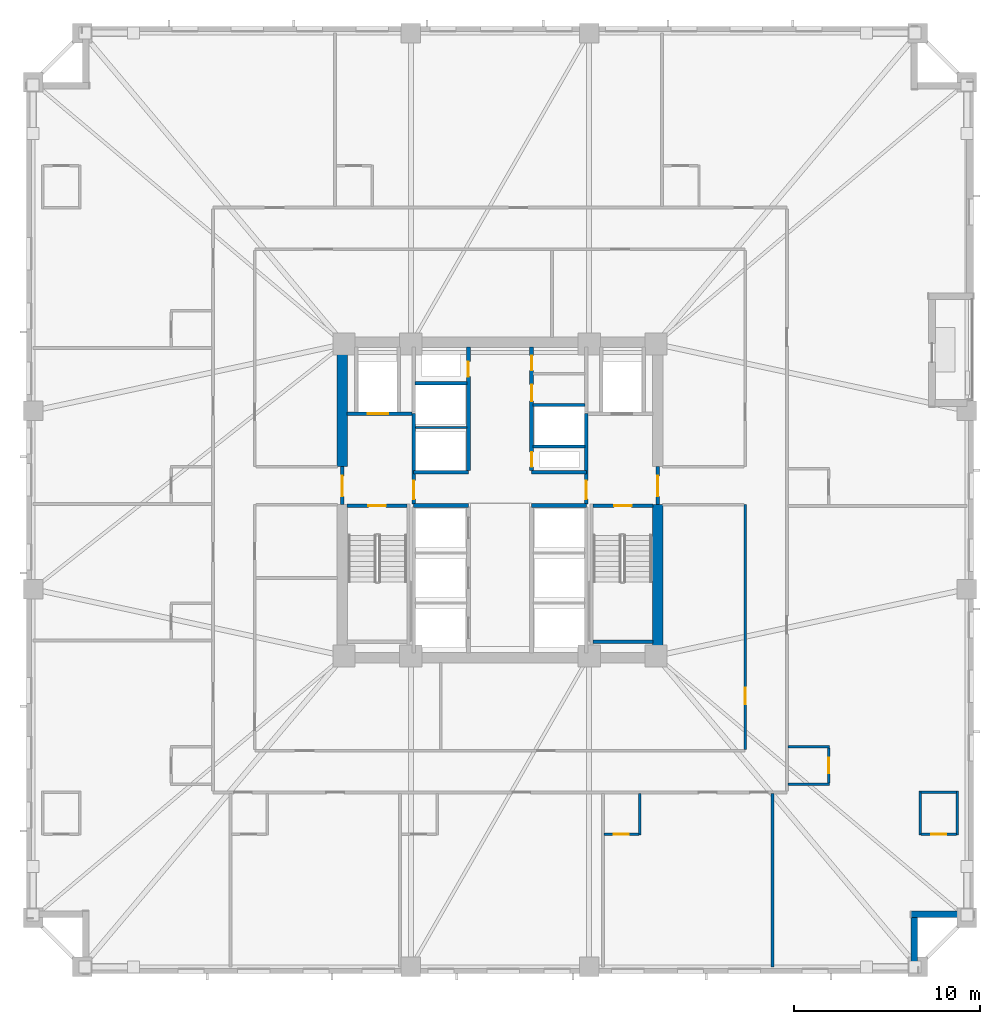
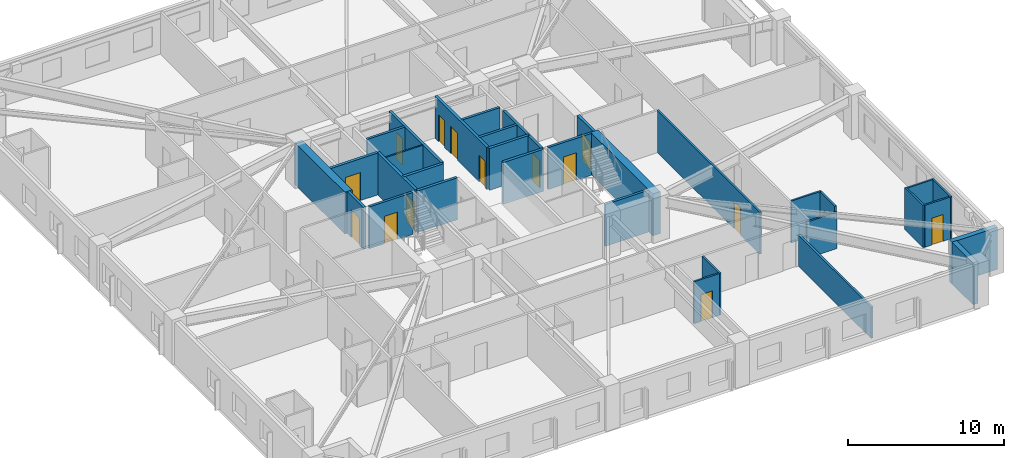
# One storey, part 4 of 11: 33 walls, 15 doors, 15 openings.
"""IFC4 building model written with IfcOpenShell, lengths in metres."""

from ifc_helpers import new_model, si_unit, direction, frame, frame_2d, origin, place, context, subcontext, project, spatial, rectangle, extrude, material, layer, layer_set, type_object, element, fill, save


model = new_model("IFC4")

# Units and contexts
model_context = context("Model", 3, precision=1e-05, world=origin(), true_north=direction((0.0, 1.0)))
body_context = subcontext(model_context, "Body", "Model", "MODEL_VIEW")
ifc_project = project(units=[si_unit("LENGTHUNIT", "METRE"), si_unit("AREAUNIT", "SQUARE_METRE"), si_unit("VOLUMEUNIT", "CUBIC_METRE"), si_unit("PLANEANGLEUNIT", "RADIAN"), si_unit("MASSUNIT", "GRAM", prefix="KILO")], contexts=[model_context])

# Site, building, storey
site_placement = place(None, origin())
site = spatial("IfcSite", under=ifc_project, at=site_placement, CompositionType="ELEMENT")
building_placement = place(site_placement, origin())
building = spatial("IfcBuilding", under=site, at=building_placement, Name="Cairnveth Concourse Tower", CompositionType="ELEMENT")
storey_placement = place(building_placement, frame((0.0, 0.0, 76.0)))
storey = spatial("IfcBuildingStorey", under=building, at=storey_placement, Name="L20", CompositionType="ELEMENT", Elevation=76.0)

# Walls
ifc_material_1 = material(Name="Gypsum Plasterboard Partition", Category="gypsum")
ifc_layer_1 = layer(ifc_material_1, 0.159912109375)
ifc_layer_set_1 = layer_set([ifc_layer_1], Name="Gypsum Plasterboard Partition")
wall_type_1 = type_object("IfcWallType", Name="ACOUSTIC PARTY WALL 180", PredefinedType="PARTITIONING", material=ifc_layer_set_1)
wall_1_placement = place(storey_placement, frame((66.68798828125, 13.844970703125, 0.0), z_axis=(0.0, 0.0, 1.0), x_axis=(0.0, 1.0, 0.0)))
element("IfcWall", 1, at=wall_1_placement, inside=storey, type_object=wall_type_1, Name="Interior Wall IW-L20-068", PredefinedType="PARTITIONING", context=body_context, shape_type="SweptSolid", body=[
    extrude(rectangle(XDim=9.340087890625, YDim=0.159912109375, at=frame_2d((4.669921875, 0.0))), origin(), (0.0, 0.0, 1.0), 2.43896484375),
])
ifc_material_2 = material(Name="Concrete N80 (80 MPa)", Category="concrete")
ifc_layer_2 = layer(ifc_material_2, 0.550048828125)
ifc_layer_set_2 = layer_set([ifc_layer_2], Name="Concrete N80 (80 MPa)")
wall_type_2 = type_object("IfcWallType", Name="CORE SHEAR WALL 550", PredefinedType="SHEAR", material=ifc_layer_set_2)
wall_2_placement = place(storey_placement, frame((43.5, 40.800048828125, 0.0), z_axis=(0.0, 0.0, 1.0), x_axis=(0.0, 1.0, 0.0)))
element("IfcWall", 2, at=wall_2_placement, inside=storey, type_object=wall_type_2, Name="Core West Shear Wall N L20", PredefinedType="SHEAR", context=body_context, shape_type="SweptSolid", body=[
    extrude(rectangle(XDim=6.43505859375, YDim=0.550048828125, at=frame_2d((3.217529296875, 0.0))), origin(), (0.0, 0.0, 1.0), 3.280029296875),
])
wall_3_placement = place(storey_placement, frame((60.5, 30.764892578125, 0.0), z_axis=(0.0, 0.0, 1.0), x_axis=(0.0, 1.0, 0.0)))
element("IfcWall", 3, at=wall_3_placement, inside=storey, type_object=wall_type_2, Name="Core East Shear Wall S L20", PredefinedType="SHEAR", context=body_context, shape_type="SweptSolid", body=[
    extrude(rectangle(XDim=7.985107421875, YDim=0.550048828125, at=frame_2d((3.99267578125, 0.0))), origin(), (0.0, 0.0, 1.0), 3.280029296875),
])
ifc_material_3 = material(Name="Concrete N50 (50 MPa)", Category="concrete")
ifc_layer_3 = layer(ifc_material_3, 0.179931640625)
ifc_layer_set_3 = layer_set([ifc_layer_3], Name="Concrete N50 (50 MPa)")
wall_type_3 = type_object("IfcWallType", Name="FIRE SHAFT WALL 180", PredefinedType="SOLIDWALL", material=ifc_layer_set_3)
wall_4_placement = place(storey_placement, frame((47.425048828125, 45.280029296875, 0.0), z_axis=(0.0, 0.0, 1.0), x_axis=(1.0, 0.0, 0.0)))
element("IfcWall", 4, at=wall_4_placement, inside=storey, type_object=wall_type_3, Name="Interior Wall IW-L20-033", PredefinedType="SOLIDWALL", context=body_context, shape_type="SweptSolid", body=[
    extrude(rectangle(XDim=2.7900390625, YDim=0.179931640625, at=frame_2d((1.39501953125, 0.0))), origin(), (0.0, 0.0, 1.0), 3.280029296875),
])
wall_5_placement = place(storey_placement, frame((53.784912109375, 41.8798828125, 0.0), z_axis=(0.0, 0.0, 1.0), x_axis=(1.0, 0.0, 0.0)))
element("IfcWall", 5, at=wall_5_placement, inside=storey, type_object=wall_type_3, Name="Interior Wall IW-L20-035", PredefinedType="SOLIDWALL", context=body_context, shape_type="SweptSolid", body=[
    extrude(rectangle(XDim=2.780029296875, YDim=0.179931640625, at=frame_2d((1.39013671875, 0.0))), origin(), (0.0, 0.0, 1.0), 3.280029296875),
])
wall_6_placement = place(storey_placement, frame((53.784912109375, 44.1201171875, 0.0), z_axis=(0.0, 0.0, 1.0), x_axis=(1.0, 0.0, 0.0)))
element("IfcWall", 6, at=wall_6_placement, inside=storey, type_object=wall_type_3, Name="Interior Wall IW-L20-036", PredefinedType="SOLIDWALL", context=body_context, shape_type="SweptSolid", body=[
    extrude(rectangle(XDim=2.7900390625, YDim=0.179931640625, at=frame_2d((1.39501953125, 0.0))), origin(), (0.0, 0.0, 1.0), 3.280029296875),
])

# Wall, opening, door
wall_7_placement = place(storey_placement, frame((43.764892578125, 38.68994140625, 0.0), z_axis=(0.0, 0.0, 1.0), x_axis=(1.0, 0.0, 0.0)))
wall_7 = element("IfcWall", 7, at=wall_7_placement, inside=storey, type_object=wall_type_3, Name="Stair ST-1 Shaft Wall NEAR L20", PredefinedType="SOLIDWALL", context=body_context, shape_type="SweptSolid", body=[
    extrude(rectangle(XDim=3.230224609375, YDim=0.179931640625, at=frame_2d((1.615234375, 0.0))), origin(), (0.0, 0.0, 1.0), 3.280029296875),
])
opening_1_placement = place(wall_7_placement, frame((1.139892578125, 0.0, 0.0)))
opening_1 = element("IfcOpeningElement", 8, at=opening_1_placement, cuts=wall_7, Name="Opening ID12", PredefinedType="OPENING", context=body_context, shape_type="SweptSolid", body=[
    extrude(rectangle(XDim=0.949951171875, YDim=2.14990234375, at=frame_2d((0.47509765625, 1.074951171875))), frame((0.0, 0.099853515625, 0.0), z_axis=(0.0, -1.0, 0.0), x_axis=(1.0, 0.0, 0.0)), (0.0, 0.0, 1.0), 0.199951171875),
])
ifc_material_4 = material(Name="Steel Grade 350", Category="steel")
door_type_1 = type_object("IfcDoorType", Name="FIRE STAIR DOOR 950X2150", OperationType="NOTDEFINED", PredefinedType="DOOR", material=ifc_material_4)
door_1_placement = place(opening_1_placement, origin())
door_1 = element("IfcDoor", 9, at=door_1_placement, inside=storey, type_object=door_type_1, Name="Stair ST-1 Fire Door L20", OperationType="SINGLE_SWING_LEFT", OverallHeight=2.14990234375, OverallWidth=0.949951171875, PredefinedType="DOOR", context=body_context, shape_type="SweptSolid", body=[
    extrude(rectangle(XDim=0.949951171875, YDim=2.14990234375, at=frame_2d((0.47509765625, 1.074951171875))), frame((0.0, 0.02490234375, 0.0), z_axis=(0.0, -1.0, 0.0), x_axis=(1.0, 0.0, 0.0)), (0.0, 0.0, 1.0), 0.050048828125),
])
fill(opening_1, door_1)

wall_8_placement = place(storey_placement, frame((57.0048828125, 38.68994140625, 0.0), z_axis=(0.0, 0.0, 1.0), x_axis=(1.0, 0.0, 0.0)))
wall_8 = element("IfcWall", 10, at=wall_8_placement, inside=storey, type_object=wall_type_3, Name="Stair ST-2 Shaft Wall NEAR L20", PredefinedType="SOLIDWALL", context=body_context, shape_type="SweptSolid", body=[
    extrude(rectangle(XDim=3.230224609375, YDim=0.179931640625, at=frame_2d((1.615234375, 0.0))), origin(), (0.0, 0.0, 1.0), 3.280029296875),
])
opening_2_placement = place(wall_8_placement, frame((1.139892578125, 0.0, 0.0)))
opening_2 = element("IfcOpeningElement", 11, at=opening_2_placement, cuts=wall_8, Name="Opening ID12", PredefinedType="OPENING", context=body_context, shape_type="SweptSolid", body=[
    extrude(rectangle(XDim=0.949951171875, YDim=2.14990234375, at=frame_2d((0.47509765625, 1.074951171875))), frame((0.0, 0.099853515625, 0.0), z_axis=(0.0, -1.0, 0.0), x_axis=(1.0, 0.0, 0.0)), (0.0, 0.0, 1.0), 0.199951171875),
])
door_2_placement = place(opening_2_placement, origin())
door_2 = element("IfcDoor", 12, at=door_2_placement, inside=storey, type_object=door_type_1, Name="Stair ST-2 Fire Door L20", OperationType="SINGLE_SWING_RIGHT", OverallHeight=2.14990234375, OverallWidth=0.949951171875, PredefinedType="DOOR", context=body_context, shape_type="SweptSolid", body=[
    extrude(rectangle(XDim=0.949951171875, YDim=2.14990234375, at=frame_2d((0.47509765625, 1.074951171875))), frame((0.0, 0.02490234375, 0.0), z_axis=(0.0, -1.0, 0.0), x_axis=(1.0, 0.0, 0.0)), (0.0, 0.0, 1.0), 0.050048828125),
])
fill(opening_2, door_2)

# Walls
wall_9_placement = place(storey_placement, frame((57.0048828125, 31.360107421875, 0.0), z_axis=(0.0, 0.0, 1.0), x_axis=(1.0, 0.0, 0.0)))
element("IfcWall", 13, at=wall_9_placement, inside=storey, type_object=wall_type_3, Name="Stair ST-2 Shaft Wall FAR L20", PredefinedType="SOLIDWALL", context=body_context, shape_type="SweptSolid", body=[
    extrude(rectangle(XDim=3.230224609375, YDim=0.179931640625, at=frame_2d((1.615234375, 0.0))), origin(), (0.0, 0.0, 1.0), 3.280029296875),
])
ifc_layer_4 = layer(ifc_material_3, 0.199951171875)
ifc_layer_set_4 = layer_set([ifc_layer_4], Name="Concrete N50 (50 MPa)")
wall_type_4 = type_object("IfcWallType", Name="FIRE SHAFT WALL 200", PredefinedType="SOLIDWALL", material=ifc_layer_set_4)
for number, where, z_axis, x_axis, name in (
    (14, (47.35009765625, 38.699951171875, 0.0), (0.0, 0.0, 1.0), (1.0, 0.0, 0.0), "Interior Wall IW-L20-007"),
    (15, (47.35009765625, 40.5, 0.0), (0.0, 0.0, 1.0), (1.0, 0.0, 0.0), "Interior Wall IW-L20-008"),
    (16, (53.699951171875, 38.699951171875, 0.0), (0.0, 0.0, 1.0), (1.0, 0.0, 0.0), "Interior Wall IW-L20-009"),
    (17, (53.699951171875, 40.5, 0.0), (0.0, 0.0, 1.0), (1.0, 0.0, 0.0), "Interior Wall IW-L20-010"),
):
    element("IfcWall", number, at=place(storey_placement, frame(where, z_axis=z_axis, x_axis=x_axis)), inside=storey, type_object=wall_type_4, Name=name, PredefinedType="SOLIDWALL", context=body_context, shape_type="SweptSolid", body=[
        extrude(rectangle(XDim=2.949951171875, YDim=0.199951171875, at=frame_2d((1.47509765625, 0.0))), origin(), (0.0, 0.0, 1.0), 3.280029296875),
    ])

# Wall, opening, door
wall_10_placement = place(storey_placement, frame((50.300048828125, 40.5849609375, 0.0), z_axis=(0.0, 0.0, 1.0), x_axis=(0.0, 1.0, 0.0)))
wall_10 = element("IfcWall", 18, at=wall_10_placement, inside=storey, type_object=wall_type_4, Name="Interior Wall IW-L20-013", PredefinedType="SOLIDWALL", context=body_context, shape_type="SweptSolid", body=[
    extrude(rectangle(XDim=6.655029296875, YDim=0.199951171875, at=frame_2d((3.32763671875, 0.0))), origin(), (0.0, 0.0, 1.0), 3.280029296875),
])
opening_3_placement = place(wall_10_placement, frame((5.06494140625, 0.0, 0.0)))
opening_3 = element("IfcOpeningElement", 19, at=opening_3_placement, cuts=wall_10, Name="Opening ID24", PredefinedType="OPENING", context=body_context, shape_type="SweptSolid", body=[
    extrude(rectangle(XDim=0.800048828125, YDim=2.080078125, at=frame_2d((0.39990234375, 1.0400390625))), frame((0.0, 0.10986328125, 0.0), z_axis=(0.0, -1.0, 0.0), x_axis=(1.0, 0.0, 0.0)), (0.0, 0.0, 1.0), 0.219970703125),
])
door_type_2 = type_object("IfcDoorType", Name="RISER ACCESS DOOR 800X2100", OperationType="NOTDEFINED", PredefinedType="DOOR", material=ifc_material_4)
door_3_placement = place(opening_3_placement, origin())
door_3 = element("IfcDoor", 20, at=door_3_placement, inside=storey, type_object=door_type_2, Name="NW Electrical Riser Access Door L20", OperationType="SINGLE_SWING_RIGHT", OverallHeight=2.080078125, OverallWidth=0.800048828125, PredefinedType="DOOR", context=body_context, shape_type="SweptSolid", body=[
    extrude(rectangle(XDim=0.800048828125, YDim=2.080078125, at=frame_2d((0.39990234375, 1.0400390625))), frame((0.0, 0.02490234375, 0.0), z_axis=(0.0, -1.0, 0.0), x_axis=(1.0, 0.0, 0.0)), (0.0, 0.0, 1.0), 0.050048828125),
])
fill(opening_3, door_3)

# Wall, openings, doors
wall_11_placement = place(storey_placement, frame((53.699951171875, 40.5849609375, 0.0), z_axis=(0.0, 0.0, 1.0), x_axis=(0.0, 1.0, 0.0)))
wall_11 = element("IfcWall", 21, at=wall_11_placement, inside=storey, type_object=wall_type_4, Name="Interior Wall IW-L20-014", PredefinedType="SOLIDWALL", context=body_context, shape_type="SweptSolid", body=[
    extrude(rectangle(XDim=6.655029296875, YDim=0.199951171875, at=frame_2d((3.32763671875, 0.0))), origin(), (0.0, 0.0, 1.0), 3.280029296875),
])
opening_4_placement = place(wall_11_placement, frame((0.195068359375, 0.0, 0.0)))
opening_4 = element("IfcOpeningElement", 22, at=opening_4_placement, cuts=wall_11, Name="Opening ID24", PredefinedType="OPENING", context=body_context, shape_type="SweptSolid", body=[
    extrude(rectangle(XDim=0.800048828125, YDim=2.080078125, at=frame_2d((0.39990234375, 1.0400390625))), frame((0.0, 0.10986328125, 0.0), z_axis=(0.0, -1.0, 0.0), x_axis=(1.0, 0.0, 0.0)), (0.0, 0.0, 1.0), 0.219970703125),
])
opening_5_placement = place(wall_11_placement, frame((3.735107421875, 0.0, 0.0)))
opening_5 = element("IfcOpeningElement", 23, at=opening_5_placement, cuts=wall_11, Name="Opening ID26", PredefinedType="OPENING", context=body_context, shape_type="SweptSolid", body=[
    extrude(rectangle(XDim=0.89990234375, YDim=2.1201171875, at=frame_2d((0.449951171875, 1.06005859375))), frame((0.0, 0.10986328125, 0.0), z_axis=(0.0, -1.0, 0.0), x_axis=(1.0, 0.0, 0.0)), (0.0, 0.0, 1.0), 0.219970703125),
])
opening_6_placement = place(wall_11_placement, frame((5.39501953125, 0.0, 0.0)))
opening_6 = element("IfcOpeningElement", 24, at=opening_6_placement, cuts=wall_11, Name="Opening ID23", PredefinedType="OPENING", context=body_context, shape_type="SweptSolid", body=[
    extrude(rectangle(XDim=0.800048828125, YDim=2.10009765625, at=frame_2d((0.39990234375, 1.050048828125))), frame((0.0, 0.10986328125, 0.0), z_axis=(0.0, -1.0, 0.0), x_axis=(1.0, 0.0, 0.0)), (0.0, 0.0, 1.0), 0.219970703125),
])
door_type_3 = type_object("IfcDoorType", Name="CORE SERVICE DOOR 800X2100", OperationType="NOTDEFINED", PredefinedType="DOOR", material=ifc_material_4)
door_4_placement = place(opening_6_placement, origin())
door_4 = element("IfcDoor", 25, at=door_4_placement, inside=storey, type_object=door_type_3, Name="Core NE Cleaners Door L20", OperationType="SINGLE_SWING_LEFT", OverallHeight=2.10009765625, OverallWidth=0.800048828125, PredefinedType="DOOR", context=body_context, shape_type="SweptSolid", body=[
    extrude(rectangle(XDim=0.800048828125, YDim=2.10009765625, at=frame_2d((0.39990234375, 1.050048828125))), frame((0.0, 0.02490234375, 0.0), z_axis=(0.0, -1.0, 0.0), x_axis=(1.0, 0.0, 0.0)), (0.0, 0.0, 1.0), 0.050048828125),
])
fill(opening_6, door_4)
door_type_4 = type_object("IfcDoorType", Name="CORE TOILET FIRE DOOR 900X2120", OperationType="NOTDEFINED", PredefinedType="DOOR", material=ifc_material_4)
door_5_placement = place(opening_5_placement, origin())
door_5 = element("IfcDoor", 26, at=door_5_placement, inside=storey, type_object=door_type_4, Name="Core NE Unisex WC Door L20", OperationType="SINGLE_SWING_RIGHT", OverallHeight=2.1201171875, OverallWidth=0.89990234375, PredefinedType="DOOR", context=body_context, shape_type="SweptSolid", body=[
    extrude(rectangle(XDim=0.89990234375, YDim=2.1201171875, at=frame_2d((0.449951171875, 1.06005859375))), frame((0.0, 0.02490234375, 0.0), z_axis=(0.0, -1.0, 0.0), x_axis=(1.0, 0.0, 0.0)), (0.0, 0.0, 1.0), 0.050048828125),
])
fill(opening_5, door_5)
door_6_placement = place(opening_4_placement, origin())
door_6 = element("IfcDoor", 27, at=door_6_placement, inside=storey, type_object=door_type_2, Name="Hydraulic Riser Door L20", OperationType="SINGLE_SWING_LEFT", OverallHeight=2.080078125, OverallWidth=0.800048828125, PredefinedType="DOOR", context=body_context, shape_type="SweptSolid", body=[
    extrude(rectangle(XDim=0.800048828125, YDim=2.080078125, at=frame_2d((0.39990234375, 1.0400390625))), frame((0.0, 0.02490234375, 0.0), z_axis=(0.0, -1.0, 0.0), x_axis=(1.0, 0.0, 0.0)), (0.0, 0.0, 1.0), 0.050048828125),
])
fill(opening_4, door_6)

# Wall, opening, door
wall_12_placement = place(storey_placement, frame((43.5, 38.75, 0.0), z_axis=(0.0, 0.0, 1.0), x_axis=(0.0, 1.0, 0.0)))
wall_12 = element("IfcWall", 28, at=wall_12_placement, inside=storey, type_object=wall_type_4, Name="Interior Wall IW-L20-015", PredefinedType="SOLIDWALL", context=body_context, shape_type="SweptSolid", body=[
    extrude(rectangle(XDim=2.050048828125, YDim=0.199951171875, at=frame_2d((1.02490234375, 0.0))), origin(), (0.0, 0.0, 1.0), 3.280029296875),
])
opening_7_placement = place(wall_12_placement, frame((0.449951171875, 0.0, 0.0)))
opening_7 = element("IfcOpeningElement", 29, at=opening_7_placement, cuts=wall_12, Name="Opening ID06", PredefinedType="OPENING", context=body_context, shape_type="SweptSolid", body=[
    extrude(rectangle(XDim=1.10009765625, YDim=2.14990234375, at=frame_2d((0.550048828125, 1.074951171875))), frame((0.0, 0.10986328125, 0.0), z_axis=(0.0, -1.0, 0.0), x_axis=(1.0, 0.0, 0.0)), (0.0, 0.0, 1.0), 0.219970703125),
])
door_type_5 = type_object("IfcDoorType", Name="FIRE CORRIDOR DOOR 1100X2150", OperationType="NOTDEFINED", PredefinedType="DOOR", material=ifc_material_4)
door_7_placement = place(opening_7_placement, origin())
door_7 = element("IfcDoor", 30, at=door_7_placement, inside=storey, type_object=door_type_5, Name="West Wing to FF Lobby Door L20", OperationType="SINGLE_SWING_LEFT", OverallHeight=2.14990234375, OverallWidth=1.10009765625, PredefinedType="DOOR", context=body_context, shape_type="SweptSolid", body=[
    extrude(rectangle(XDim=1.10009765625, YDim=2.14990234375, at=frame_2d((0.550048828125, 1.074951171875))), frame((0.0, 0.02490234375, 0.0), z_axis=(0.0, -1.0, 0.0), x_axis=(1.0, 0.0, 0.0)), (0.0, 0.0, 1.0), 0.050048828125),
])
fill(opening_7, door_7)

wall_13_placement = place(storey_placement, frame((47.35009765625, 38.784912109375, 0.0), z_axis=(0.0, 0.0, 1.0), x_axis=(0.0, 1.0, 0.0)))
wall_13 = element("IfcWall", 31, at=wall_13_placement, inside=storey, type_object=wall_type_4, Name="Interior Wall IW-L20-016", PredefinedType="SOLIDWALL", context=body_context, shape_type="SweptSolid", body=[
    extrude(rectangle(XDim=4.864990234375, YDim=0.199951171875, at=frame_2d((2.4326171875, 0.0))), origin(), (0.0, 0.0, 1.0), 3.280029296875),
])
opening_8_placement = place(wall_13_placement, frame((0.264892578125, 0.0, 0.0)))
opening_8 = element("IfcOpeningElement", 32, at=opening_8_placement, cuts=wall_13, Name="Opening ID07", PredefinedType="OPENING", context=body_context, shape_type="SweptSolid", body=[
    extrude(rectangle(XDim=1.0, YDim=2.14990234375, at=frame_2d((0.5, 1.074951171875))), frame((0.0, 0.10986328125, 0.0), z_axis=(0.0, -1.0, 0.0), x_axis=(1.0, 0.0, 0.0)), (0.0, 0.0, 1.0), 0.219970703125),
])
door_type_6 = type_object("IfcDoorType", Name="FIRE CORRIDOR DOOR 1000X2150", OperationType="NOTDEFINED", PredefinedType="DOOR", material=ifc_material_4)
door_8_placement = place(opening_8_placement, origin())
door_8 = element("IfcDoor", 33, at=door_8_placement, inside=storey, type_object=door_type_6, Name="FF Lobby West to Lift Lobby Door L20", OperationType="SINGLE_SWING_RIGHT", OverallHeight=2.14990234375, OverallWidth=1.0, PredefinedType="DOOR", context=body_context, shape_type="SweptSolid", body=[
    extrude(rectangle(XDim=1.0, YDim=2.14990234375, at=frame_2d((0.5, 1.074951171875))), frame((0.0, 0.02490234375, 0.0), z_axis=(0.0, -1.0, 0.0), x_axis=(1.0, 0.0, 0.0)), (0.0, 0.0, 1.0), 0.050048828125),
])
fill(opening_8, door_8)

wall_14_placement = place(storey_placement, frame((43.760009765625, 43.64990234375, 0.0), z_axis=(0.0, 0.0, 1.0), x_axis=(1.0, 0.0, 0.0)))
wall_14 = element("IfcWall", 34, at=wall_14_placement, inside=storey, type_object=wall_type_4, Name="Interior Wall IW-L20-017", PredefinedType="SOLIDWALL", context=body_context, shape_type="SweptSolid", body=[
    extrude(rectangle(XDim=3.5048828125, YDim=0.199951171875, at=frame_2d((1.75244140625, 0.0))), origin(), (0.0, 0.0, 1.0), 3.280029296875),
])
opening_9_placement = place(wall_14_placement, frame((1.110107421875, 0.0, 0.0)))
opening_9 = element("IfcOpeningElement", 35, at=opening_9_placement, cuts=wall_14, Name="Opening LD-1", PredefinedType="OPENING", context=body_context, shape_type="SweptSolid", body=[
    extrude(rectangle(XDim=1.10009765625, YDim=2.199951171875, at=frame_2d((0.550048828125, 1.10009765625))), frame((0.0, 0.10986328125, 0.0), z_axis=(0.0, -1.0, 0.0), x_axis=(1.0, 0.0, 0.0)), (0.0, 0.0, 1.0), 0.219970703125),
])
ifc_material_5 = material(Name="Architectural Bronze Anodised Aluminium 6063-T6", Category="aluminium")
door_type_7 = type_object("IfcDoorType", Name="LIFT LANDING DOOR 1100X2200", OperationType="SLIDING_TO_LEFT", PredefinedType="DOOR", material=ifc_material_5)
door_9_placement = place(opening_9_placement, origin())
door_9 = element("IfcDoor", 36, at=door_9_placement, inside=storey, type_object=door_type_7, Name="Lift FFL1 Landing Door L20", OperationType="SLIDING_TO_LEFT", OverallHeight=2.199951171875, OverallWidth=1.10009765625, PredefinedType="DOOR", context=body_context, shape_type="SweptSolid", body=[
    extrude(rectangle(XDim=1.10009765625, YDim=2.199951171875, at=frame_2d((0.550048828125, 1.10009765625))), frame((0.0, 0.02490234375, 0.0), z_axis=(0.0, -1.0, 0.0), x_axis=(1.0, 0.0, 0.0)), (0.0, 0.0, 1.0), 0.050048828125),
])
fill(opening_9, door_9)

wall_15_placement = place(storey_placement, frame((60.5, 38.75, 0.0), z_axis=(0.0, 0.0, 1.0), x_axis=(0.0, 1.0, 0.0)))
wall_15 = element("IfcWall", 37, at=wall_15_placement, inside=storey, type_object=wall_type_4, Name="Interior Wall IW-L20-020", PredefinedType="SOLIDWALL", context=body_context, shape_type="SweptSolid", body=[
    extrude(rectangle(XDim=2.050048828125, YDim=0.199951171875, at=frame_2d((1.02490234375, 0.0))), origin(), (0.0, 0.0, 1.0), 3.280029296875),
])
opening_10_placement = place(wall_15_placement, frame((0.449951171875, 0.0, 0.0)))
opening_10 = element("IfcOpeningElement", 38, at=opening_10_placement, cuts=wall_15, Name="Opening ID06", PredefinedType="OPENING", context=body_context, shape_type="SweptSolid", body=[
    extrude(rectangle(XDim=1.10009765625, YDim=2.14990234375, at=frame_2d((0.550048828125, 1.074951171875))), frame((0.0, 0.10986328125, 0.0), z_axis=(0.0, -1.0, 0.0), x_axis=(1.0, 0.0, 0.0)), (0.0, 0.0, 1.0), 0.219970703125),
])
door_10_placement = place(opening_10_placement, origin())
door_10 = element("IfcDoor", 39, at=door_10_placement, inside=storey, type_object=door_type_5, Name="East Wing to FF Lobby Door L20", OperationType="SINGLE_SWING_RIGHT", OverallHeight=2.14990234375, OverallWidth=1.10009765625, PredefinedType="DOOR", context=body_context, shape_type="SweptSolid", body=[
    extrude(rectangle(XDim=1.10009765625, YDim=2.14990234375, at=frame_2d((0.550048828125, 1.074951171875))), frame((0.0, 0.02490234375, 0.0), z_axis=(0.0, -1.0, 0.0), x_axis=(1.0, 0.0, 0.0)), (0.0, 0.0, 1.0), 0.050048828125),
])
fill(opening_10, door_10)

wall_16_placement = place(storey_placement, frame((56.64990234375, 38.784912109375, 0.0), z_axis=(0.0, 0.0, 1.0), x_axis=(0.0, 1.0, 0.0)))
wall_16 = element("IfcWall", 40, at=wall_16_placement, inside=storey, type_object=wall_type_4, Name="Interior Wall IW-L20-021", PredefinedType="SOLIDWALL", context=body_context, shape_type="SweptSolid", body=[
    extrude(rectangle(XDim=4.864990234375, YDim=0.199951171875, at=frame_2d((2.4326171875, 0.0))), origin(), (0.0, 0.0, 1.0), 3.280029296875),
])
opening_11_placement = place(wall_16_placement, frame((0.264892578125, 0.0, 0.0)))
opening_11 = element("IfcOpeningElement", 41, at=opening_11_placement, cuts=wall_16, Name="Opening ID07", PredefinedType="OPENING", context=body_context, shape_type="SweptSolid", body=[
    extrude(rectangle(XDim=1.0, YDim=2.14990234375, at=frame_2d((0.5, 1.074951171875))), frame((0.0, 0.10986328125, 0.0), z_axis=(0.0, -1.0, 0.0), x_axis=(1.0, 0.0, 0.0)), (0.0, 0.0, 1.0), 0.219970703125),
])
door_11_placement = place(opening_11_placement, origin())
door_11 = element("IfcDoor", 42, at=door_11_placement, inside=storey, type_object=door_type_6, Name="FF Lobby East to Lift Lobby Door L20", OperationType="SINGLE_SWING_LEFT", OverallHeight=2.14990234375, OverallWidth=1.0, PredefinedType="DOOR", context=body_context, shape_type="SweptSolid", body=[
    extrude(rectangle(XDim=1.0, YDim=2.14990234375, at=frame_2d((0.5, 1.074951171875))), frame((0.0, 0.02490234375, 0.0), z_axis=(0.0, -1.0, 0.0), x_axis=(1.0, 0.0, 0.0)), (0.0, 0.0, 1.0), 0.050048828125),
])
fill(opening_11, door_11)

ifc_layer_5 = layer(ifc_material_1, 0.139892578125)
ifc_layer_set_5 = layer_set([ifc_layer_5], Name="Gypsum Plasterboard Partition")
wall_type_5 = type_object("IfcWallType", Name="GYPSUM STUD PARTITION 140", PredefinedType="PARTITIONING", material=ifc_layer_set_5)
wall_17_placement = place(storey_placement, frame((65.199951171875, 25.554931640625, 0.0), z_axis=(0.0, 0.0, 1.0), x_axis=(0.0, 1.0, 0.0)))
wall_17 = element("IfcWall", 43, at=wall_17_placement, inside=storey, type_object=wall_type_5, Name="Interior Wall IW-L20-048", PredefinedType="PARTITIONING", context=body_context, shape_type="SweptSolid", body=[
    extrude(rectangle(XDim=13.195068359375, YDim=0.139892578125, at=frame_2d((6.59765625, 0.0))), origin(), (0.0, 0.0, 1.0), 3.280029296875),
])
opening_12_placement = place(wall_17_placement, frame((2.445068359375, 0.0, 0.0)))
opening_12 = element("IfcOpeningElement", 44, at=opening_12_placement, cuts=wall_17, Name="Opening ID18", PredefinedType="OPENING", context=body_context, shape_type="SweptSolid", body=[
    extrude(rectangle(XDim=0.8798828125, YDim=2.10009765625, at=frame_2d((0.43994140625, 1.050048828125))), frame((0.0, 0.079833984375, 0.0), z_axis=(0.0, -1.0, 0.0), x_axis=(1.0, 0.0, 0.0)), (0.0, 0.0, 1.0), 0.159912109375),
])
ifc_material_6 = material(Name="Solid Core Hardwood Timber Leaf", Category="wood")
door_type_8 = type_object("IfcDoorType", Name="INTERIOR SINGLE DOOR 880X2100", OperationType="NOTDEFINED", PredefinedType="DOOR", material=ifc_material_6)
door_12_placement = place(opening_12_placement, origin())
door_12 = element("IfcDoor", 45, at=door_12_placement, inside=storey, type_object=door_type_8, Name="Interior Door DR-L20-021", OperationType="SINGLE_SWING_LEFT", OverallHeight=2.10009765625, OverallWidth=0.8798828125, PredefinedType="DOOR", context=body_context, shape_type="SweptSolid", body=[
    extrude(rectangle(XDim=0.8798828125, YDim=2.10009765625, at=frame_2d((0.43994140625, 1.050048828125))), frame((0.0, 0.02490234375, 0.0), z_axis=(0.0, -1.0, 0.0), x_axis=(1.0, 0.0, 0.0)), (0.0, 0.0, 1.0), 0.050048828125),
])
fill(opening_12, door_12)

# Walls
ifc_layer_6 = layer(ifc_material_1, 0.110107421875)
ifc_layer_set_6 = layer_set([ifc_layer_6], Name="Gypsum Plasterboard Partition")
wall_type_6 = type_object("IfcWallType", Name="SHAFT DIVIDER WALL 140", PredefinedType="PARTITIONING", material=ifc_layer_set_6)
wall_18_placement = place(storey_placement, frame((47.43505859375, 42.89990234375, 0.0), z_axis=(0.0, 0.0, 1.0), x_axis=(1.0, 0.0, 0.0)))
element("IfcWall", 46, at=wall_18_placement, inside=storey, type_object=wall_type_6, Name="Interior Wall IW-L20-032", PredefinedType="PARTITIONING", context=body_context, shape_type="SweptSolid", body=[
    extrude(rectangle(XDim=2.780029296875, YDim=0.110107421875, at=frame_2d((1.39013671875, 0.0))), origin(), (0.0, 0.0, 1.0), 3.280029296875),
])
ifc_layer_7 = layer(ifc_material_1, 0.1298828125)
ifc_layer_set_7 = layer_set([ifc_layer_7], Name="Gypsum Plasterboard Partition")
wall_type_7 = type_object("IfcWallType", Name="WET AREA PARTITION 140", PredefinedType="PLUMBINGWALL", material=ifc_layer_set_7)
wall_19_placement = place(storey_placement, frame((59.535888671875, 20.949951171875, 0.0), z_axis=(0.0, 0.0, 1.0), x_axis=(0.0, 1.0, 0.0)))
element("IfcWall", 47, at=wall_19_placement, inside=storey, type_object=wall_type_7, Name="Interior Wall IW-L20-066", PredefinedType="PLUMBINGWALL", context=body_context, shape_type="SweptSolid", body=[
    extrude(rectangle(XDim=2.235107421875, YDim=0.1298828125, at=frame_2d((1.11767578125, 0.0))), origin(), (0.0, 0.0, 1.0), 3.280029296875),
])

# Wall, opening, door
wall_20_placement = place(storey_placement, frame((57.60107421875, 21.0, 0.0), z_axis=(0.0, 0.0, 1.0), x_axis=(1.0, 0.0, 0.0)))
wall_20 = element("IfcWall", 48, at=wall_20_placement, inside=storey, type_object=wall_type_7, Name="Interior Wall IW-L20-067", PredefinedType="PLUMBINGWALL", context=body_context, shape_type="SweptSolid", body=[
    extrude(rectangle(XDim=1.885009765625, YDim=0.1298828125, at=frame_2d((0.9423828125, 0.0))), origin(), (0.0, 0.0, 1.0), 3.280029296875),
])
opening_13_placement = place(wall_20_placement, frame((0.52490234375, 0.0, 0.0)))
opening_13 = element("IfcOpeningElement", 49, at=opening_13_placement, cuts=wall_20, Name="Opening ID22", PredefinedType="OPENING", context=body_context, shape_type="SweptSolid", body=[
    extrude(rectangle(XDim=0.820068359375, YDim=2.10009765625, at=frame_2d((0.41015625, 1.050048828125))), frame((0.0, 0.074951171875, 0.0), z_axis=(0.0, -1.0, 0.0), x_axis=(1.0, 0.0, 0.0)), (0.0, 0.0, 1.0), 0.14990234375),
])
door_type_9 = type_object("IfcDoorType", Name="INTERIOR WC DOOR 820X2100", OperationType="NOTDEFINED", PredefinedType="DOOR", material=ifc_material_6)
door_13_placement = place(opening_13_placement, origin())
door_13 = element("IfcDoor", 50, at=door_13_placement, inside=storey, type_object=door_type_9, Name="En-Suite Door L20-S4", OperationType="SINGLE_SWING_LEFT", OverallHeight=2.10009765625, OverallWidth=0.820068359375, PredefinedType="DOOR", context=body_context, shape_type="SweptSolid", body=[
    extrude(rectangle(XDim=0.820068359375, YDim=2.10009765625, at=frame_2d((0.41015625, 1.050048828125))), frame((0.0, 0.02490234375, 0.0), z_axis=(0.0, -1.0, 0.0), x_axis=(1.0, 0.0, 0.0)), (0.0, 0.0, 1.0), 0.050048828125),
])
fill(opening_13, door_13)

# Walls
for number, where, z_axis, x_axis, name in (
    (51, (76.6298828125, 20.949951171875, 0.0), (0.0, 0.0, 1.0), (0.0, 1.0, 0.0), "Interior Wall IW-L20-069"),
    (52, (74.6298828125, 20.949951171875, 0.0), (0.0, 0.0, 1.0), (0.0, 1.0, 0.0), "Interior Wall IW-L20-070"),
):
    element("IfcWall", number, at=place(storey_placement, frame(where, z_axis=z_axis, x_axis=x_axis)), inside=storey, type_object=wall_type_7, Name=name, PredefinedType="PLUMBINGWALL", context=body_context, shape_type="SweptSolid", body=[
        extrude(rectangle(XDim=2.380126953125, YDim=0.1298828125, at=frame_2d((1.18994140625, 0.0))), origin(), (0.0, 0.0, 1.0), 3.280029296875),
    ])

# Wall, opening, door
wall_21_placement = place(storey_placement, frame((74.679931640625, 21.0, 0.0), z_axis=(0.0, 0.0, 1.0), x_axis=(1.0, 0.0, 0.0)))
wall_21 = element("IfcWall", 53, at=wall_21_placement, inside=storey, type_object=wall_type_7, Name="Interior Wall IW-L20-071", PredefinedType="PLUMBINGWALL", context=body_context, shape_type="SweptSolid", body=[
    extrude(rectangle(XDim=1.900146484375, YDim=0.1298828125, at=frame_2d((0.9501953125, 0.0))), origin(), (0.0, 0.0, 1.0), 3.280029296875),
])
opening_14_placement = place(wall_21_placement, frame((0.5400390625, 0.0, 0.0)))
opening_14 = element("IfcOpeningElement", 54, at=opening_14_placement, cuts=wall_21, Name="Opening ID22", PredefinedType="OPENING", context=body_context, shape_type="SweptSolid", body=[
    extrude(rectangle(XDim=0.820068359375, YDim=2.10009765625, at=frame_2d((0.41015625, 1.050048828125))), frame((0.0, 0.074951171875, 0.0), z_axis=(0.0, -1.0, 0.0), x_axis=(1.0, 0.0, 0.0)), (0.0, 0.0, 1.0), 0.14990234375),
])
door_14_placement = place(opening_14_placement, origin())
door_14 = element("IfcDoor", 55, at=door_14_placement, inside=storey, type_object=door_type_9, Name="En-Suite Door L20-S5", OperationType="SINGLE_SWING_LEFT", OverallHeight=2.10009765625, OverallWidth=0.820068359375, PredefinedType="DOOR", context=body_context, shape_type="SweptSolid", body=[
    extrude(rectangle(XDim=0.820068359375, YDim=2.10009765625, at=frame_2d((0.41015625, 1.050048828125))), frame((0.0, 0.02490234375, 0.0), z_axis=(0.0, -1.0, 0.0), x_axis=(1.0, 0.0, 0.0)), (0.0, 0.0, 1.0), 0.050048828125),
])
fill(opening_14, door_14)

# Walls
wall_22_placement = place(storey_placement, frame((74.679931640625, 23.25, 0.0), z_axis=(0.0, 0.0, 1.0), x_axis=(1.0, 0.0, 0.0)))
element("IfcWall", 56, at=wall_22_placement, inside=storey, type_object=wall_type_7, Name="Interior Wall IW-L20-072", PredefinedType="PLUMBINGWALL", context=body_context, shape_type="SweptSolid", body=[
    extrude(rectangle(XDim=1.900146484375, YDim=0.1298828125, at=frame_2d((0.9501953125, 0.0))), origin(), (0.0, 0.0, 1.0), 3.280029296875),
])
wall_23_placement = place(storey_placement, frame((67.514892578125, 23.699951171875, 0.0), z_axis=(0.0, 0.0, 1.0), x_axis=(1.0, 0.0, 0.0)))
element("IfcWall", 57, at=wall_23_placement, inside=storey, type_object=wall_type_7, Name="Interior Wall IW-L20-095", PredefinedType="PLUMBINGWALL", context=body_context, shape_type="SweptSolid", body=[
    extrude(rectangle(XDim=2.235107421875, YDim=0.1298828125, at=frame_2d((1.11767578125, 0.0))), origin(), (0.0, 0.0, 1.0), 2.84912109375),
])
wall_24_placement = place(storey_placement, frame((67.514892578125, 25.699951171875, 0.0), z_axis=(0.0, 0.0, 1.0), x_axis=(1.0, 0.0, 0.0)))
element("IfcWall", 58, at=wall_24_placement, inside=storey, type_object=wall_type_7, Name="Interior Wall IW-L20-096", PredefinedType="PLUMBINGWALL", context=body_context, shape_type="SweptSolid", body=[
    extrude(rectangle(XDim=2.235107421875, YDim=0.1298828125, at=frame_2d((1.11767578125, 0.0))), origin(), (0.0, 0.0, 1.0), 3.280029296875),
])

# Wall, opening, door
wall_25_placement = place(storey_placement, frame((69.699951171875, 23.75, 0.0), z_axis=(0.0, 0.0, 1.0), x_axis=(0.0, 1.0, 0.0)))
wall_25 = element("IfcWall", 59, at=wall_25_placement, inside=storey, type_object=wall_type_7, Name="Interior Wall IW-L20-097", PredefinedType="PLUMBINGWALL", context=body_context, shape_type="SweptSolid", body=[
    extrude(rectangle(XDim=1.89990234375, YDim=0.1298828125, at=frame_2d((0.949951171875, 0.0))), origin(), (0.0, 0.0, 1.0), 3.280029296875),
])
opening_15_placement = place(wall_25_placement, frame((0.5400390625, 0.0, 0.0)))
opening_15 = element("IfcOpeningElement", 60, at=opening_15_placement, cuts=wall_25, Name="Opening ID22", PredefinedType="OPENING", context=body_context, shape_type="SweptSolid", body=[
    extrude(rectangle(XDim=0.820068359375, YDim=2.10009765625, at=frame_2d((0.41015625, 1.050048828125))), frame((0.0, 0.074951171875, 0.0), z_axis=(0.0, -1.0, 0.0), x_axis=(1.0, 0.0, 0.0)), (0.0, 0.0, 1.0), 0.14990234375),
])
door_15_placement = place(opening_15_placement, origin())
door_15 = element("IfcDoor", 61, at=door_15_placement, inside=storey, type_object=door_type_9, Name="En-Suite Door L20-E1", OperationType="SINGLE_SWING_LEFT", OverallHeight=2.10009765625, OverallWidth=0.820068359375, PredefinedType="DOOR", context=body_context, shape_type="SweptSolid", body=[
    extrude(rectangle(XDim=0.820068359375, YDim=2.10009765625, at=frame_2d((0.41015625, 1.050048828125))), frame((0.0, 0.02490234375, 0.0), z_axis=(0.0, -1.0, 0.0), x_axis=(1.0, 0.0, 0.0)), (0.0, 0.0, 1.0), 0.050048828125),
])
fill(opening_15, door_15)

# Walls
ifc_material_7 = material(Name="Hawthorn Red-Ochre Fired Clay Brick Masonry", Category="masonry")
ifc_layer_8 = layer(ifc_material_7, 0.360107421875)
ifc_layer_set_8 = layer_set([ifc_layer_8], Name="Hawthorn Red-Ochre Fired Clay Brick Masonry")
wall_type_8 = type_object("IfcWallType", Name="ZONE 1 BRICK PIER SPANDREL WALL 360", PredefinedType="SOLIDWALL", material=ifc_layer_set_8)
wall_26_placement = place(storey_placement, frame((77.5, 16.679931640625, 0.0), z_axis=(0.0, 0.0, 1.0), x_axis=(-1.0, 0.0, 0.0)))
element("IfcWall", 62, at=wall_26_placement, inside=storey, type_object=wall_type_8, Name="Exterior Wall EW-L20-S01", PredefinedType="SOLIDWALL", context=body_context, shape_type="SweptSolid", body=[
    extrude(rectangle(XDim=3.360107421875, YDim=0.360107421875, at=frame_2d((1.68017578125, 0.0))), origin(), (0.0, 0.0, 1.0), 3.280029296875),
])
wall_27_placement = place(storey_placement, frame((74.320068359375, 16.52197265625, 0.0), z_axis=(0.0, 0.0, 1.0), x_axis=(0.0, -1.0, 0.0)))
element("IfcWall", 63, at=wall_27_placement, inside=storey, type_object=wall_type_8, Name="Exterior Wall EW-L20-S02", PredefinedType="SOLIDWALL", context=body_context, shape_type="SweptSolid", body=[
    extrude(rectangle(XDim=2.68408203125, YDim=0.360107421875, at=frame_2d((1.342041015625, 0.0))), origin(), (0.0, 0.0, 1.0), 3.280029296875),
])

save(model, "model.ifc")
